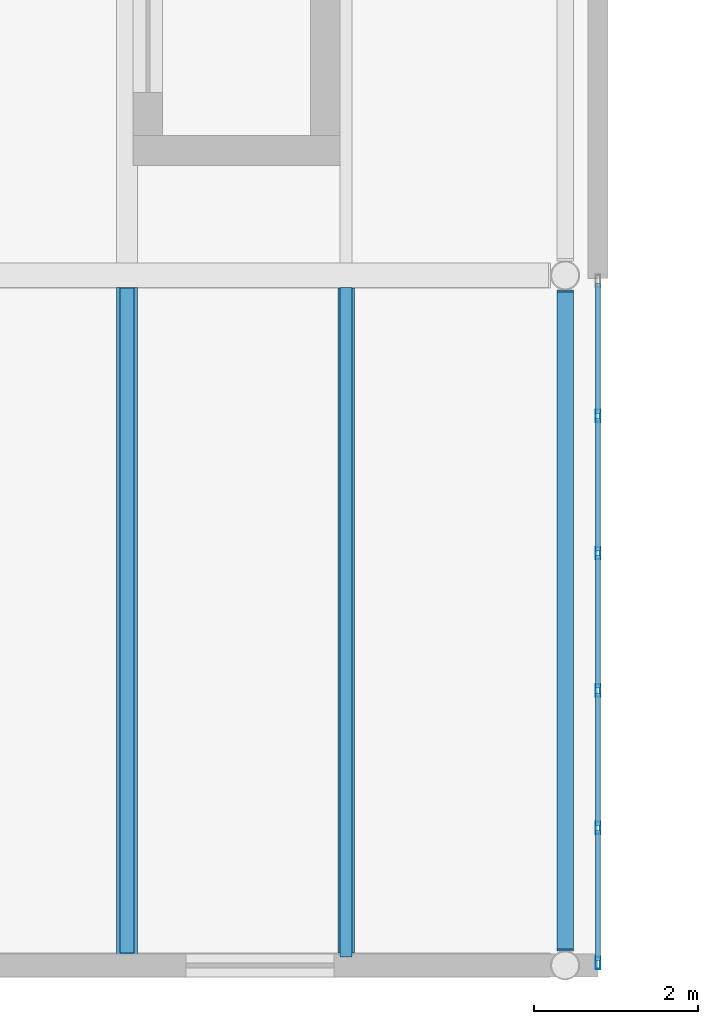
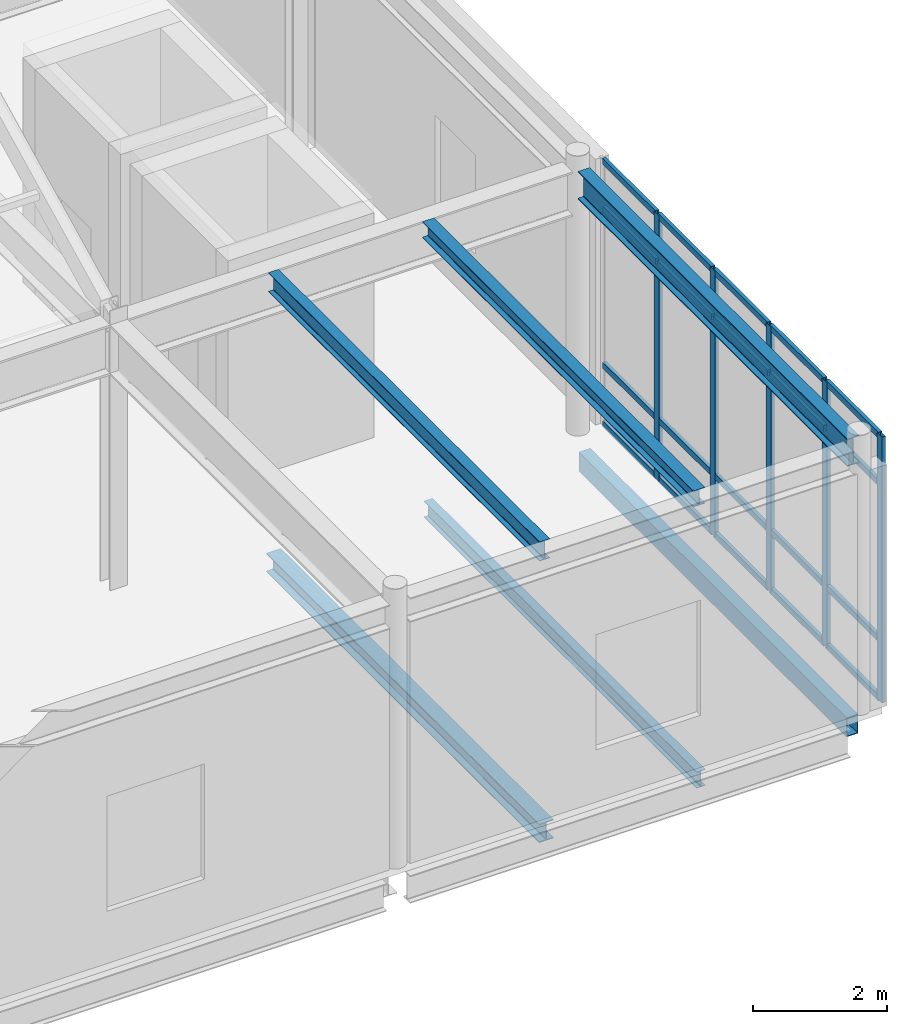
# One storey, part 41 of 91: 25 members, 6 beams, 1 element without a shape of its own.
"""IFC4 building model written with IfcOpenShell, lengths in metres."""

from ifc_helpers import new_model, si_unit, direction, frame, origin, origin_2d, place, context, subcontext, project, spatial, hollow_rectangle, i_section, extrude, material, layer, layer_set, material_profile, profile_set, type_object, element, aggregate, save


model = new_model("IFC4")

# Units and contexts
model_context = context("Model", 3, precision=1e-05, world=origin(), true_north=direction((0.0, 1.0)))
body_context = subcontext(model_context, "Body", "Model", "MODEL_VIEW")
ifc_project = project(units=[si_unit("LENGTHUNIT", "METRE"), si_unit("AREAUNIT", "SQUARE_METRE"), si_unit("VOLUMEUNIT", "CUBIC_METRE"), si_unit("PLANEANGLEUNIT", "RADIAN"), si_unit("MASSUNIT", "GRAM", prefix="KILO"), si_unit("THERMODYNAMICTEMPERATUREUNIT", "KELVIN")], contexts=[model_context])

# Site, building, storey
site_placement = place(None, origin())
site = spatial("IfcSite", under=ifc_project, at=site_placement, CompositionType="ELEMENT")
building_placement = place(site_placement, origin())
building = spatial("IfcBuilding", under=site, at=building_placement, Name="Lustrewick Department Store", CompositionType="ELEMENT")
storey_placement = place(building_placement, frame((0.0, 0.0, 21.60009765625)))
storey = spatial("IfcBuildingStorey", under=building, at=storey_placement, Name="L05", CompositionType="ELEMENT", Elevation=21.60009765625)

# Beams
ifc_material_1 = material(Name="Structural steel Q355B", Category="steel")
ifc_material_profile_1 = material_profile(ifc_material_1, i_section(OverallWidth=0.25, OverallDepth=0.340087890625, WebThickness=0.009033203125, FlangeThickness=0.013916015625, FilletRadius=0.01611328125, at=origin_2d()), Name="HM 340x250x9x14")
ifc_profile_set_1 = profile_set([ifc_material_profile_1], Name="Structural steel Q355B")
beam_type_1 = type_object("IfcBeamType", Name="B08", PredefinedType="JOIST", material=ifc_profile_set_1)
beam_1_placement = place(storey_placement, frame((145.466796875, 16.900390625, -0.425048828125), z_axis=(0.0, 1.0, 0.0), x_axis=(-1.0, 0.0, 0.0)))
element("IfcBeam", 1, at=beam_1_placement, inside=storey, type_object=beam_type_1, Name="L05 V3 Secondary Joist B08", PredefinedType="JOIST", context=body_context, shape_type="SweptSolid", body=[
    extrude(i_section(OverallWidth=0.25, OverallDepth=0.340087890625, WebThickness=0.009033203125, FlangeThickness=0.013916015625, FilletRadius=0.01611328125, at=origin_2d()), origin(), (0.0, 0.0, 1.0), 8.150146484375),
])
ifc_material_profile_2 = material_profile(ifc_material_1, i_section(OverallWidth=0.175048828125, OverallDepth=0.35009765625, WebThickness=0.007080078125, FlangeThickness=0.010986328125, FilletRadius=0.012939453125, at=origin_2d()), Name="HN 350x175x7x11")
ifc_profile_set_2 = profile_set([ifc_material_profile_2], Name="Structural steel Q355B")
beam_type_2 = type_object("IfcBeamType", Name="B09", PredefinedType="JOIST", material=ifc_profile_set_2)
beam_2_placement = place(storey_placement, frame((145.466796875, 16.949951171875, 4.669921875), z_axis=(0.0, 1.0, 0.0), x_axis=(-1.0, 0.0, 0.0)))
element("IfcBeam", 2, at=beam_2_placement, inside=storey, type_object=beam_type_2, Name="L05 V3 Secondary Joist B09", PredefinedType="JOIST", context=body_context, shape_type="SweptSolid", body=[
    extrude(i_section(OverallWidth=0.175048828125, OverallDepth=0.35009765625, WebThickness=0.007080078125, FlangeThickness=0.010986328125, FilletRadius=0.012939453125, at=origin_2d()), origin(), (0.0, 0.0, 1.0), 8.09912109375),
])
ifc_material_profile_3 = material_profile(ifc_material_1, i_section(OverallWidth=0.14892578125, OverallDepth=0.298095703125, WebThickness=0.005615234375, FlangeThickness=0.008056640625, FilletRadius=0.011962890625, at=origin_2d()), Name="HN 298x149x5.5x8")
ifc_profile_set_3 = profile_set([ifc_material_profile_3], Name="Structural steel Q355B")
beam_type_3 = type_object("IfcBeamType", Name="B12", PredefinedType="JOIST", material=ifc_profile_set_3)
beam_3_placement = place(storey_placement, frame((148.13330078125, 16.900390625, -0.404052734375), z_axis=(0.0, 1.0, 0.0), x_axis=(-1.0, 0.0, 0.0)))
element("IfcBeam", 3, at=beam_3_placement, inside=storey, type_object=beam_type_3, Name="L05 V3 Secondary Joist B12", PredefinedType="JOIST", context=body_context, shape_type="SweptSolid", body=[
    extrude(i_section(OverallWidth=0.14892578125, OverallDepth=0.298095703125, WebThickness=0.005615234375, FlangeThickness=0.008056640625, FilletRadius=0.011962890625, at=origin_2d()), origin(), (0.0, 0.0, 1.0), 8.150146484375),
])
ifc_material_profile_4 = material_profile(ifc_material_1, i_section(OverallWidth=0.199951171875, OverallDepth=0.2939453125, WebThickness=0.008056640625, FlangeThickness=0.011962890625, FilletRadius=0.013916015625, at=origin_2d()), Name="HM 294x200x8x12")
ifc_profile_set_4 = profile_set([ifc_material_profile_4], Name="Structural steel Q355B")
beam_type_4 = type_object("IfcBeamType", Name="B13", PredefinedType="JOIST", material=ifc_profile_set_4)
beam_4_placement = place(storey_placement, frame((148.13330078125, 16.949951171875, 4.697998046875), z_axis=(0.0, 1.0, 0.0), x_axis=(-1.0, 0.0, 0.0)))
element("IfcBeam", 4, at=beam_4_placement, inside=storey, type_object=beam_type_4, Name="L05 V3 Secondary Joist B13", PredefinedType="JOIST", context=body_context, shape_type="SweptSolid", body=[
    extrude(i_section(OverallWidth=0.199951171875, OverallDepth=0.2939453125, WebThickness=0.008056640625, FlangeThickness=0.011962890625, FilletRadius=0.013916015625, at=origin_2d()), origin(), (0.0, 0.0, 1.0), 8.09912109375),
])

# Curtain wall, members
ifc_material_2 = material(Name="Thermally broken aluminium 6063-T5", Category="aluminium")
ifc_layer = layer(ifc_material_2, 0.14990234375, Name="Thermally broken aluminium 6063-T5")
ifc_layer_set = layer_set([ifc_layer], Name="Thermally broken aluminium 6063-T5")
curtain_wall_type = type_object("IfcCurtainWallType", Name="CW14", PredefinedType="NOTDEFINED", material=ifc_layer_set)
curtain_wall_placement = place(storey_placement, origin())
curtain_wall = element("IfcCurtainWall", 5, at=curtain_wall_placement, inside=storey, type_object=curtain_wall_type, Name="L05 V3 Curtain Wall CW14", PredefinedType="NOTDEFINED")
ifc_material_profile_5 = material_profile(ifc_material_2, hollow_rectangle(XDim=0.06005859375, YDim=0.14990234375, WallThickness=0.00341796875, at=origin_2d()), Name="ALU-M 60x150x3.5")
ifc_profile_set_5 = profile_set([ifc_material_profile_5], Name="Thermally broken aluminium 6063-T5")
member_type_1 = type_object("IfcMemberType", Name="CW14-M1", PredefinedType="MULLION", material=ifc_profile_set_5)
member_1_placement = place(storey_placement, frame((151.199951171875, 16.830078125, 0.0), z_axis=(0.0, 0.0, 1.0), x_axis=(-1.0, 0.0, 0.0)))
member_1 = element("IfcMember", 6, at=member_1_placement, type_object=member_type_1, Name="CW14 mullion 1", PredefinedType="MULLION", context=body_context, shape_type="SweptSolid", body=[
    extrude(hollow_rectangle(XDim=0.06005859375, YDim=0.14990234375, WallThickness=0.00341796875, at=origin_2d()), origin(), (0.0, 0.0, 1.0), 4.844970703125),
])
member_2_placement = place(storey_placement, frame((151.199951171875, 18.472412109375, 0.0), z_axis=(0.0, 0.0, 1.0), x_axis=(-1.0, 0.0, 0.0)))
member_2 = element("IfcMember", 7, at=member_2_placement, type_object=member_type_1, Name="CW14 mullion 2", PredefinedType="MULLION", context=body_context, shape_type="SweptSolid", body=[
    extrude(hollow_rectangle(XDim=0.06005859375, YDim=0.14990234375, WallThickness=0.00341796875, at=origin_2d()), origin(), (0.0, 0.0, 1.0), 4.844970703125),
])
member_3_placement = place(storey_placement, frame((151.199951171875, 20.14501953125, 0.0), z_axis=(0.0, 0.0, 1.0), x_axis=(-1.0, 0.0, 0.0)))
member_3 = element("IfcMember", 8, at=member_3_placement, type_object=member_type_1, Name="CW14 mullion 3", PredefinedType="MULLION", context=body_context, shape_type="SweptSolid", body=[
    extrude(hollow_rectangle(XDim=0.06005859375, YDim=0.14990234375, WallThickness=0.00341796875, at=origin_2d()), origin(), (0.0, 0.0, 1.0), 4.844970703125),
])
member_4_placement = place(storey_placement, frame((151.199951171875, 21.8173828125, 0.0), z_axis=(0.0, 0.0, 1.0), x_axis=(-1.0, 0.0, 0.0)))
member_4 = element("IfcMember", 9, at=member_4_placement, type_object=member_type_1, Name="CW14 mullion 4", PredefinedType="MULLION", context=body_context, shape_type="SweptSolid", body=[
    extrude(hollow_rectangle(XDim=0.06005859375, YDim=0.14990234375, WallThickness=0.00341796875, at=origin_2d()), origin(), (0.0, 0.0, 1.0), 4.844970703125),
])
member_5_placement = place(storey_placement, frame((151.199951171875, 23.489990234375, 0.0), z_axis=(0.0, 0.0, 1.0), x_axis=(-1.0, 0.0, 0.0)))
member_5 = element("IfcMember", 10, at=member_5_placement, type_object=member_type_1, Name="CW14 mullion 5", PredefinedType="MULLION", context=body_context, shape_type="SweptSolid", body=[
    extrude(hollow_rectangle(XDim=0.06005859375, YDim=0.14990234375, WallThickness=0.00341796875, at=origin_2d()), origin(), (0.0, 0.0, 1.0), 4.844970703125),
])
ifc_material_profile_6 = material_profile(ifc_material_2, hollow_rectangle(XDim=0.06005859375, YDim=0.110107421875, WallThickness=0.0029296875, at=origin_2d()), Name="ALU-T 60x110x3")
ifc_profile_set_6 = profile_set([ifc_material_profile_6], Name="Thermally broken aluminium 6063-T5")
member_type_2 = type_object("IfcMemberType", Name="CW14-T1", PredefinedType="USERDEFINED", material=ifc_profile_set_6)
member_6_placement = place(storey_placement, frame((151.199951171875, 16.860107421875, 0.02978515625), z_axis=(0.0, 1.0, 0.0), x_axis=(-1.0, 0.0, 0.0)))
member_6 = element("IfcMember", 11, at=member_6_placement, type_object=member_type_2, Name="CW14 transom 1.1", ObjectType="TRANSOM", PredefinedType="USERDEFINED", context=body_context, shape_type="SweptSolid", body=[
    extrude(hollow_rectangle(XDim=0.06005859375, YDim=0.110107421875, WallThickness=0.0029296875, at=origin_2d()), origin(), (0.0, 0.0, 1.0), 1.582275390625),
])
member_7_placement = place(storey_placement, frame((151.199951171875, 16.860107421875, 1.099853515625), z_axis=(0.0, 1.0, 0.0), x_axis=(-1.0, 0.0, 0.0)))
member_7 = element("IfcMember", 12, at=member_7_placement, type_object=member_type_2, Name="CW14 transom 1.2", ObjectType="TRANSOM", PredefinedType="USERDEFINED", context=body_context, shape_type="SweptSolid", body=[
    extrude(hollow_rectangle(XDim=0.06005859375, YDim=0.110107421875, WallThickness=0.0029296875, at=origin_2d()), origin(), (0.0, 0.0, 1.0), 1.582275390625),
])
member_8_placement = place(storey_placement, frame((151.199951171875, 16.860107421875, 3.94482421875), z_axis=(0.0, 1.0, 0.0), x_axis=(-1.0, 0.0, 0.0)))
member_8 = element("IfcMember", 13, at=member_8_placement, type_object=member_type_2, Name="CW14 transom 1.3", ObjectType="TRANSOM", PredefinedType="USERDEFINED", context=body_context, shape_type="SweptSolid", body=[
    extrude(hollow_rectangle(XDim=0.06005859375, YDim=0.110107421875, WallThickness=0.0029296875, at=origin_2d()), origin(), (0.0, 0.0, 1.0), 1.582275390625),
])
member_9_placement = place(storey_placement, frame((151.199951171875, 16.860107421875, 4.81494140625), z_axis=(0.0, 1.0, 0.0), x_axis=(-1.0, 0.0, 0.0)))
member_9 = element("IfcMember", 14, at=member_9_placement, type_object=member_type_2, Name="CW14 transom 1.4", ObjectType="TRANSOM", PredefinedType="USERDEFINED", context=body_context, shape_type="SweptSolid", body=[
    extrude(hollow_rectangle(XDim=0.06005859375, YDim=0.110107421875, WallThickness=0.0029296875, at=origin_2d()), origin(), (0.0, 0.0, 1.0), 1.582275390625),
])
member_10_placement = place(storey_placement, frame((151.199951171875, 18.50244140625, 0.02978515625), z_axis=(0.0, 1.0, 0.0), x_axis=(-1.0, 0.0, 0.0)))
member_10 = element("IfcMember", 15, at=member_10_placement, type_object=member_type_2, Name="CW14 transom 2.1", ObjectType="TRANSOM", PredefinedType="USERDEFINED", context=body_context, shape_type="SweptSolid", body=[
    extrude(hollow_rectangle(XDim=0.06005859375, YDim=0.110107421875, WallThickness=0.0029296875, at=origin_2d()), origin(), (0.0, 0.0, 1.0), 1.612548828125),
])
member_11_placement = place(storey_placement, frame((151.199951171875, 18.50244140625, 1.099853515625), z_axis=(0.0, 1.0, 0.0), x_axis=(-1.0, 0.0, 0.0)))
member_11 = element("IfcMember", 16, at=member_11_placement, type_object=member_type_2, Name="CW14 transom 2.2", ObjectType="TRANSOM", PredefinedType="USERDEFINED", context=body_context, shape_type="SweptSolid", body=[
    extrude(hollow_rectangle(XDim=0.06005859375, YDim=0.110107421875, WallThickness=0.0029296875, at=origin_2d()), origin(), (0.0, 0.0, 1.0), 1.612548828125),
])
member_12_placement = place(storey_placement, frame((151.199951171875, 18.50244140625, 3.94482421875), z_axis=(0.0, 1.0, 0.0), x_axis=(-1.0, 0.0, 0.0)))
member_12 = element("IfcMember", 17, at=member_12_placement, type_object=member_type_2, Name="CW14 transom 2.3", ObjectType="TRANSOM", PredefinedType="USERDEFINED", context=body_context, shape_type="SweptSolid", body=[
    extrude(hollow_rectangle(XDim=0.06005859375, YDim=0.110107421875, WallThickness=0.0029296875, at=origin_2d()), origin(), (0.0, 0.0, 1.0), 1.612548828125),
])
member_13_placement = place(storey_placement, frame((151.199951171875, 18.50244140625, 4.81494140625), z_axis=(0.0, 1.0, 0.0), x_axis=(-1.0, 0.0, 0.0)))
member_13 = element("IfcMember", 18, at=member_13_placement, type_object=member_type_2, Name="CW14 transom 2.4", ObjectType="TRANSOM", PredefinedType="USERDEFINED", context=body_context, shape_type="SweptSolid", body=[
    extrude(hollow_rectangle(XDim=0.06005859375, YDim=0.110107421875, WallThickness=0.0029296875, at=origin_2d()), origin(), (0.0, 0.0, 1.0), 1.612548828125),
])
member_14_placement = place(storey_placement, frame((151.199951171875, 20.175048828125, 0.02978515625), z_axis=(0.0, 1.0, 0.0), x_axis=(-1.0, 0.0, 0.0)))
member_14 = element("IfcMember", 19, at=member_14_placement, type_object=member_type_2, Name="CW14 transom 3.1", ObjectType="TRANSOM", PredefinedType="USERDEFINED", context=body_context, shape_type="SweptSolid", body=[
    extrude(hollow_rectangle(XDim=0.06005859375, YDim=0.110107421875, WallThickness=0.0029296875, at=origin_2d()), origin(), (0.0, 0.0, 1.0), 1.612548828125),
])
member_15_placement = place(storey_placement, frame((151.199951171875, 20.175048828125, 1.099853515625), z_axis=(0.0, 1.0, 0.0), x_axis=(-1.0, 0.0, 0.0)))
member_15 = element("IfcMember", 20, at=member_15_placement, type_object=member_type_2, Name="CW14 transom 3.2", ObjectType="TRANSOM", PredefinedType="USERDEFINED", context=body_context, shape_type="SweptSolid", body=[
    extrude(hollow_rectangle(XDim=0.06005859375, YDim=0.110107421875, WallThickness=0.0029296875, at=origin_2d()), origin(), (0.0, 0.0, 1.0), 1.612548828125),
])
member_16_placement = place(storey_placement, frame((151.199951171875, 20.175048828125, 3.94482421875), z_axis=(0.0, 1.0, 0.0), x_axis=(-1.0, 0.0, 0.0)))
member_16 = element("IfcMember", 21, at=member_16_placement, type_object=member_type_2, Name="CW14 transom 3.3", ObjectType="TRANSOM", PredefinedType="USERDEFINED", context=body_context, shape_type="SweptSolid", body=[
    extrude(hollow_rectangle(XDim=0.06005859375, YDim=0.110107421875, WallThickness=0.0029296875, at=origin_2d()), origin(), (0.0, 0.0, 1.0), 1.612548828125),
])
member_17_placement = place(storey_placement, frame((151.199951171875, 20.175048828125, 4.81494140625), z_axis=(0.0, 1.0, 0.0), x_axis=(-1.0, 0.0, 0.0)))
member_17 = element("IfcMember", 22, at=member_17_placement, type_object=member_type_2, Name="CW14 transom 3.4", ObjectType="TRANSOM", PredefinedType="USERDEFINED", context=body_context, shape_type="SweptSolid", body=[
    extrude(hollow_rectangle(XDim=0.06005859375, YDim=0.110107421875, WallThickness=0.0029296875, at=origin_2d()), origin(), (0.0, 0.0, 1.0), 1.612548828125),
])
member_18_placement = place(storey_placement, frame((151.199951171875, 21.847412109375, 0.02978515625), z_axis=(0.0, 1.0, 0.0), x_axis=(-1.0, 0.0, 0.0)))
member_18 = element("IfcMember", 23, at=member_18_placement, type_object=member_type_2, Name="CW14 transom 4.1", ObjectType="TRANSOM", PredefinedType="USERDEFINED", context=body_context, shape_type="SweptSolid", body=[
    extrude(hollow_rectangle(XDim=0.06005859375, YDim=0.110107421875, WallThickness=0.0029296875, at=origin_2d()), origin(), (0.0, 0.0, 1.0), 1.612548828125),
])
member_19_placement = place(storey_placement, frame((151.199951171875, 21.847412109375, 1.099853515625), z_axis=(0.0, 1.0, 0.0), x_axis=(-1.0, 0.0, 0.0)))
member_19 = element("IfcMember", 24, at=member_19_placement, type_object=member_type_2, Name="CW14 transom 4.2", ObjectType="TRANSOM", PredefinedType="USERDEFINED", context=body_context, shape_type="SweptSolid", body=[
    extrude(hollow_rectangle(XDim=0.06005859375, YDim=0.110107421875, WallThickness=0.0029296875, at=origin_2d()), origin(), (0.0, 0.0, 1.0), 1.612548828125),
])
member_20_placement = place(storey_placement, frame((151.199951171875, 21.847412109375, 3.94482421875), z_axis=(0.0, 1.0, 0.0), x_axis=(-1.0, 0.0, 0.0)))
member_20 = element("IfcMember", 25, at=member_20_placement, type_object=member_type_2, Name="CW14 transom 4.3", ObjectType="TRANSOM", PredefinedType="USERDEFINED", context=body_context, shape_type="SweptSolid", body=[
    extrude(hollow_rectangle(XDim=0.06005859375, YDim=0.110107421875, WallThickness=0.0029296875, at=origin_2d()), origin(), (0.0, 0.0, 1.0), 1.612548828125),
])
member_21_placement = place(storey_placement, frame((151.199951171875, 21.847412109375, 4.81494140625), z_axis=(0.0, 1.0, 0.0), x_axis=(-1.0, 0.0, 0.0)))
member_21 = element("IfcMember", 26, at=member_21_placement, type_object=member_type_2, Name="CW14 transom 4.4", ObjectType="TRANSOM", PredefinedType="USERDEFINED", context=body_context, shape_type="SweptSolid", body=[
    extrude(hollow_rectangle(XDim=0.06005859375, YDim=0.110107421875, WallThickness=0.0029296875, at=origin_2d()), origin(), (0.0, 0.0, 1.0), 1.612548828125),
])
member_22_placement = place(storey_placement, frame((151.199951171875, 23.52001953125, 0.02978515625), z_axis=(0.0, 1.0, 0.0), x_axis=(-1.0, 0.0, 0.0)))
member_22 = element("IfcMember", 27, at=member_22_placement, type_object=member_type_2, Name="CW14 transom 5.1", ObjectType="TRANSOM", PredefinedType="USERDEFINED", context=body_context, shape_type="SweptSolid", body=[
    extrude(hollow_rectangle(XDim=0.06005859375, YDim=0.110107421875, WallThickness=0.0029296875, at=origin_2d()), origin(), (0.0, 0.0, 1.0), 1.58251953125),
])
member_23_placement = place(storey_placement, frame((151.199951171875, 23.52001953125, 1.099853515625), z_axis=(0.0, 1.0, 0.0), x_axis=(-1.0, 0.0, 0.0)))
member_23 = element("IfcMember", 28, at=member_23_placement, type_object=member_type_2, Name="CW14 transom 5.2", ObjectType="TRANSOM", PredefinedType="USERDEFINED", context=body_context, shape_type="SweptSolid", body=[
    extrude(hollow_rectangle(XDim=0.06005859375, YDim=0.110107421875, WallThickness=0.0029296875, at=origin_2d()), origin(), (0.0, 0.0, 1.0), 1.58251953125),
])
member_24_placement = place(storey_placement, frame((151.199951171875, 23.52001953125, 3.94482421875), z_axis=(0.0, 1.0, 0.0), x_axis=(-1.0, 0.0, 0.0)))
member_24 = element("IfcMember", 29, at=member_24_placement, type_object=member_type_2, Name="CW14 transom 5.3", ObjectType="TRANSOM", PredefinedType="USERDEFINED", context=body_context, shape_type="SweptSolid", body=[
    extrude(hollow_rectangle(XDim=0.06005859375, YDim=0.110107421875, WallThickness=0.0029296875, at=origin_2d()), origin(), (0.0, 0.0, 1.0), 1.58251953125),
])
member_25_placement = place(storey_placement, frame((151.199951171875, 23.52001953125, 4.81494140625), z_axis=(0.0, 1.0, 0.0), x_axis=(-1.0, 0.0, 0.0)))
member_25 = element("IfcMember", 30, at=member_25_placement, type_object=member_type_2, Name="CW14 transom 5.4", ObjectType="TRANSOM", PredefinedType="USERDEFINED", context=body_context, shape_type="SweptSolid", body=[
    extrude(hollow_rectangle(XDim=0.06005859375, YDim=0.110107421875, WallThickness=0.0029296875, at=origin_2d()), origin(), (0.0, 0.0, 1.0), 1.58251953125),
])
aggregate(curtain_wall, [member_1, member_2, member_3, member_4, member_5, member_6, member_7, member_8, member_9, member_10, member_11, member_12, member_13, member_14, member_15, member_16, member_17, member_18, member_19, member_20, member_21, member_22, member_23, member_24, member_25])

# Beams
ifc_material_profile_7 = material_profile(ifc_material_1, i_section(OverallWidth=0.200927734375, OverallDepth=0.506103515625, WebThickness=0.010986328125, FlangeThickness=0.01904296875, FilletRadius=0.01611328125, at=origin_2d()), Name="HN 506x201x11x19")
ifc_profile_set_7 = profile_set([ifc_material_profile_7], Name="Structural steel Q355B")
beam_type_5 = type_object("IfcBeamType", Name="SP01", PredefinedType="SPANDREL", material=ifc_profile_set_7)
beam_5_placement = place(storey_placement, frame((150.800048828125, 16.97802734375, 4.591796875), z_axis=(0.0, 1.0, 0.0), x_axis=(-1.0, 0.0, 0.0)))
element("IfcBeam", 31, at=beam_5_placement, inside=storey, type_object=beam_type_5, Name="L05 V3 Girder SP01", PredefinedType="SPANDREL", context=body_context, shape_type="SweptSolid", body=[
    extrude(i_section(OverallWidth=0.200927734375, OverallDepth=0.506103515625, WebThickness=0.010986328125, FlangeThickness=0.01904296875, FilletRadius=0.01611328125, at=origin_2d()), origin(), (0.0, 0.0, 1.0), 8.0439453125),
])
ifc_material_3 = material(Name="Structural steel Q355C", Category="steel")
ifc_material_profile_8 = material_profile(ifc_material_3, hollow_rectangle(XDim=0.199951171875, YDim=0.35009765625, WallThickness=0.011962890625, at=origin_2d()), Name="RHS 350x200x12")
ifc_profile_set_8 = profile_set([ifc_material_profile_8], Name="Structural steel Q355C")
beam_type_6 = type_object("IfcBeamType", Name="SP03", PredefinedType="SPANDREL", material=ifc_profile_set_8)
beam_6_placement = place(storey_placement, frame((150.800048828125, 17.0029296875, -0.43017578125), z_axis=(0.0, 1.0, 0.0), x_axis=(-1.0, 0.0, 0.0)))
element("IfcBeam", 32, at=beam_6_placement, inside=storey, type_object=beam_type_6, Name="L05 V3 Girder SP03", PredefinedType="SPANDREL", context=body_context, shape_type="SweptSolid", body=[
    extrude(hollow_rectangle(XDim=0.199951171875, YDim=0.35009765625, WallThickness=0.011962890625, at=origin_2d()), origin(), (0.0, 0.0, 1.0), 7.994140625),
])

save(model, "model.ifc")
